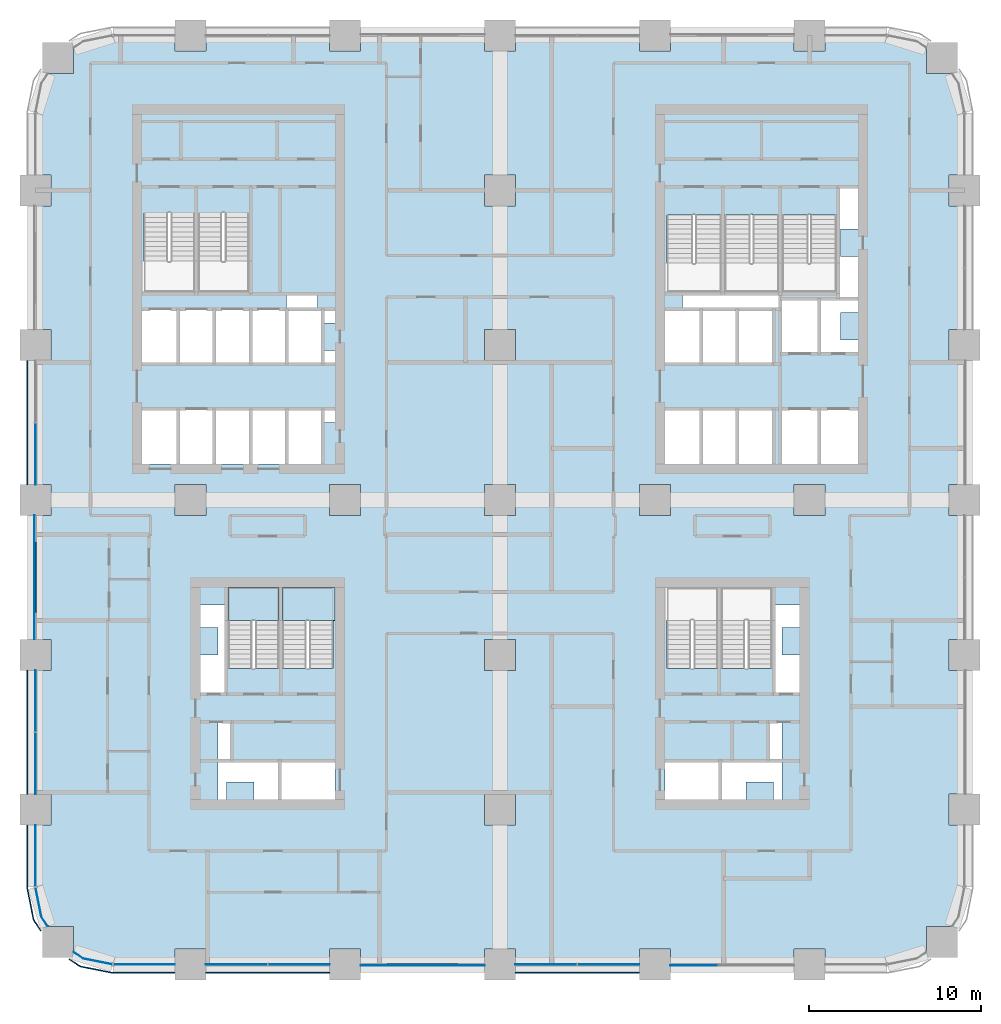
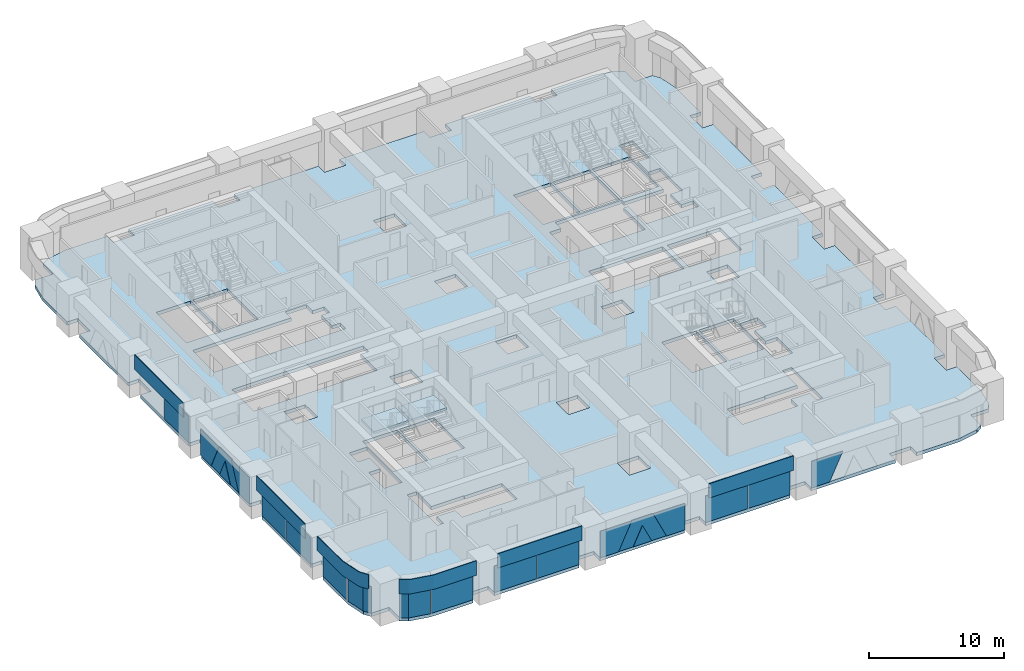
# One storey, part 9 of 21: 26 plates, 3 slabs, 11 elements without a shape of their own.
"""IFC4 building model written with IfcOpenShell, lengths in metres."""

from ifc_helpers import new_model, si_unit, direction, frame, origin, origin_2d, place, context, subcontext, project, spatial, polyline, rectangle, outline, extrude, material, layer, layer_set, type_object, element, aggregate, save


model = new_model("IFC4")

# Units and contexts
model_context = context("Model", 3, precision=1e-05, world=origin(), true_north=direction((0.0, 1.0)))
body_context = subcontext(model_context, "Body", "Model", "MODEL_VIEW")
ifc_project = project(units=[si_unit("LENGTHUNIT", "METRE"), si_unit("AREAUNIT", "SQUARE_METRE"), si_unit("VOLUMEUNIT", "CUBIC_METRE"), si_unit("PLANEANGLEUNIT", "RADIAN"), si_unit("MASSUNIT", "GRAM", prefix="KILO")], contexts=[model_context])

# Site, building, storey
site_placement = place(None, origin())
site = spatial("IfcSite", under=ifc_project, at=site_placement, CompositionType="ELEMENT")
building_placement = place(site_placement, origin())
building = spatial("IfcBuilding", under=site, at=building_placement, Name="Tessera Arch", CompositionType="ELEMENT")
storey_placement = place(building_placement, frame((0.0, 0.0, 50.0)))
storey = spatial("IfcBuildingStorey", under=building, at=storey_placement, Name="L10", CompositionType="ELEMENT", Elevation=50.0)

# Curtain wall, plates
ifc_material_1 = material(Name="CW1 curtain wall")
curtain_wall_type_1 = type_object("IfcCurtainWallType", Name="CW1 curtain wall", PredefinedType="NOTDEFINED", material=ifc_material_1)
curtain_wall_1_placement = place(storey_placement, origin())
curtain_wall_1 = element("IfcCurtainWall", 1, at=curtain_wall_1_placement, inside=storey, type_object=curtain_wall_type_1, Name="CW1 curtain wall S0.0/0 L10", PredefinedType="NOTDEFINED")
ifc_material_2 = material(Name="Clear low-e glass", Category="glass")
ifc_material_3 = material(Name="Clear low-e glass", Category="glass")
ifc_layer_1 = layer(ifc_material_3, 0.028076171875)
ifc_layer_set_1 = layer_set([ifc_layer_1], Name="CW1 glass panel")
plate_type_1 = type_object("IfcPlateType", Name="CW1 glass panel", PredefinedType="CURTAIN_PANEL", material=ifc_layer_set_1)
plate_1_placement = place(storey_placement, frame((11.68505859375, 0.0, 0.0), z_axis=(0.0, 0.0, 1.0), x_axis=(1.0, 0.0, 0.0)))
plate_1 = element("IfcPlate", 2, at=plate_1_placement, type_object=plate_type_1, material=ifc_material_2, Name="CW1 glass panel S0.0/0 1.1.1", PredefinedType="CURTAIN_PANEL", context=body_context, shape_type="SweptSolid", body=[
    extrude(rectangle(XDim=3.570068359375, YDim=0.028076171875, at=origin_2d()), origin(), (0.0, 0.0, 1.0), 2.39990234375),
])
plate_2_placement = place(storey_placement, frame((15.31494140625, 0.0, 0.0), z_axis=(0.0, 0.0, 1.0), x_axis=(1.0, 0.0, 0.0)))
plate_2 = element("IfcPlate", 3, at=plate_2_placement, type_object=plate_type_1, material=ifc_material_2, Name="CW1 glass panel S0.0/0 1.2.1", PredefinedType="CURTAIN_PANEL", context=body_context, shape_type="SweptSolid", body=[
    extrude(rectangle(XDim=3.570068359375, YDim=0.028076171875, at=origin_2d()), origin(), (0.0, 0.0, 1.0), 2.39990234375),
])

curtain_wall_2_placement = place(storey_placement, origin())
curtain_wall_2 = element("IfcCurtainWall", 4, at=curtain_wall_2_placement, inside=storey, type_object=curtain_wall_type_1, Name="CW1 curtain wall S0.0/2 L10", PredefinedType="NOTDEFINED")
plate_3_placement = place(storey_placement, frame((29.68505859375, 0.0, 0.0), z_axis=(0.0, 0.0, 1.0), x_axis=(1.0, 0.0, 0.0)))
plate_3 = element("IfcPlate", 5, at=plate_3_placement, type_object=plate_type_1, material=ifc_material_2, Name="CW1 glass panel S0.0/2 1.1.1", PredefinedType="CURTAIN_PANEL", context=body_context, shape_type="SweptSolid", body=[
    extrude(rectangle(XDim=3.570068359375, YDim=0.028076171875, at=origin_2d()), origin(), (0.0, 0.0, 1.0), 2.39990234375),
])
plate_4_placement = place(storey_placement, frame((33.31494140625, 0.0, 0.0), z_axis=(0.0, 0.0, 1.0), x_axis=(1.0, 0.0, 0.0)))
plate_4 = element("IfcPlate", 6, at=plate_4_placement, type_object=plate_type_1, material=ifc_material_2, Name="CW1 glass panel S0.0/2 1.2.1", PredefinedType="CURTAIN_PANEL", context=body_context, shape_type="SweptSolid", body=[
    extrude(rectangle(XDim=3.570068359375, YDim=0.028076171875, at=origin_2d()), origin(), (0.0, 0.0, 1.0), 2.39990234375),
])

# Curtain wall, plate
curtain_wall_3_placement = place(storey_placement, origin())
curtain_wall_3 = element("IfcCurtainWall", 7, at=curtain_wall_3_placement, inside=storey, type_object=curtain_wall_type_1, Name="CW1 curtain wall W0.0/2 L10", PredefinedType="NOTDEFINED")
plate_5_placement = place(storey_placement, frame((0.0, 29.68505859375, 0.0), z_axis=(0.0, 0.0, 1.0), x_axis=(0.0, -1.0, 0.0)))
plate_5 = element("IfcPlate", 8, at=plate_5_placement, type_object=plate_type_1, material=ifc_material_2, Name="CW1 glass panel W0.0/2 1.2.1", PredefinedType="CURTAIN_PANEL", context=body_context, shape_type="SweptSolid", body=[
    extrude(rectangle(XDim=3.570068359375, YDim=0.028076171875, at=origin_2d()), origin(), (0.0, 0.0, 1.0), 2.39990234375),
])

# Curtain wall, plates
curtain_wall_4_placement = place(storey_placement, origin())
curtain_wall_4 = element("IfcCurtainWall", 9, at=curtain_wall_4_placement, inside=storey, type_object=curtain_wall_type_1, Name="CW1 curtain wall W0.0/4 L10", PredefinedType="NOTDEFINED")
plate_6_placement = place(storey_placement, frame((0.0, 15.31494140625, 0.0), z_axis=(0.0, 0.0, 1.0), x_axis=(0.0, -1.0, 0.0)))
plate_6 = element("IfcPlate", 10, at=plate_6_placement, type_object=plate_type_1, material=ifc_material_2, Name="CW1 glass panel W0.0/4 1.1.1", PredefinedType="CURTAIN_PANEL", context=body_context, shape_type="SweptSolid", body=[
    extrude(rectangle(XDim=3.570068359375, YDim=0.028076171875, at=origin_2d()), origin(), (0.0, 0.0, 1.0), 2.39990234375),
])
plate_7_placement = place(storey_placement, frame((0.0, 11.68505859375, 0.0), z_axis=(0.0, 0.0, 1.0), x_axis=(0.0, -1.0, 0.0)))
plate_7 = element("IfcPlate", 11, at=plate_7_placement, type_object=plate_type_1, material=ifc_material_2, Name="CW1 glass panel W0.0/4 1.2.1", PredefinedType="CURTAIN_PANEL", context=body_context, shape_type="SweptSolid", body=[
    extrude(rectangle(XDim=3.570068359375, YDim=0.028076171875, at=origin_2d()), origin(), (0.0, 0.0, 1.0), 2.39990234375),
])

# Plate
ifc_material_4 = material(Name="Pale anodised aluminium panel", Category="aluminium")
ifc_layer_2 = layer(ifc_material_4, 0.06005859375)
ifc_layer_set_2 = layer_set([ifc_layer_2], Name="CW1 spandrel panel")
plate_type_2 = type_object("IfcPlateType", Name="CW1 spandrel panel", PredefinedType="CURTAIN_PANEL", material=ifc_layer_set_2)
plate_8_placement = place(storey_placement, frame((13.5, -0.47998046875, 2.5), z_axis=(0.0, 0.0, 1.0), x_axis=(1.0, 0.0, 0.0)))
plate_8 = element("IfcPlate", 12, at=plate_8_placement, type_object=plate_type_2, Name="CW1 spandrel panel S0.0/0", PredefinedType="CURTAIN_PANEL", context=body_context, shape_type="SweptSolid", body=[
    extrude(rectangle(XDim=7.199951171875, YDim=0.06005859375, at=origin_2d()), origin(), (0.0, 0.0, 1.0), 1.300048828125),
])

aggregate(curtain_wall_1, [plate_1, plate_2, plate_8])

plate_9_placement = place(storey_placement, frame((31.5, -0.47998046875, 2.5), z_axis=(0.0, 0.0, 1.0), x_axis=(1.0, 0.0, 0.0)))
plate_9 = element("IfcPlate", 13, at=plate_9_placement, type_object=plate_type_2, Name="CW1 spandrel panel S0.0/2", PredefinedType="CURTAIN_PANEL", context=body_context, shape_type="SweptSolid", body=[
    extrude(rectangle(XDim=7.199951171875, YDim=0.06005859375, at=origin_2d()), origin(), (0.0, 0.0, 1.0), 1.300048828125),
])

aggregate(curtain_wall_2, [plate_3, plate_4, plate_9])

plate_10_placement = place(storey_placement, frame((-0.47998046875, 31.5, 2.5), z_axis=(0.0, 0.0, 1.0), x_axis=(0.0, -1.0, 0.0)))
plate_10 = element("IfcPlate", 14, at=plate_10_placement, type_object=plate_type_2, Name="CW1 spandrel panel W0.0/2", PredefinedType="CURTAIN_PANEL", context=body_context, shape_type="SweptSolid", body=[
    extrude(rectangle(XDim=7.199951171875, YDim=0.06005859375, at=origin_2d()), origin(), (0.0, 0.0, 1.0), 1.300048828125),
])

aggregate(curtain_wall_3, [plate_5, plate_10])

plate_11_placement = place(storey_placement, frame((-0.47998046875, 13.5, 2.5), z_axis=(0.0, 0.0, 1.0), x_axis=(0.0, -1.0, 0.0)))
plate_11 = element("IfcPlate", 15, at=plate_11_placement, type_object=plate_type_2, Name="CW1 spandrel panel W0.0/4", PredefinedType="CURTAIN_PANEL", context=body_context, shape_type="SweptSolid", body=[
    extrude(rectangle(XDim=7.199951171875, YDim=0.06005859375, at=origin_2d()), origin(), (0.0, 0.0, 1.0), 1.300048828125),
])

aggregate(curtain_wall_4, [plate_6, plate_7, plate_11])

# Curtain wall, plates
ifc_material_5 = material(Name="CW2 curtain wall")
curtain_wall_type_2 = type_object("IfcCurtainWallType", Name="CW2 curtain wall", PredefinedType="NOTDEFINED", material=ifc_material_5)
curtain_wall_5_placement = place(storey_placement, origin())
curtain_wall_5 = element("IfcCurtainWall", 16, at=curtain_wall_5_placement, inside=storey, type_object=curtain_wall_type_2, Name="CW2 curtain wall W0.0/5 L10", PredefinedType="NOTDEFINED")
ifc_material_6 = material(Name="Clear low-e glass", Category="glass")
ifc_layer_3 = layer(ifc_material_6, 0.028076171875)
ifc_layer_set_3 = layer_set([ifc_layer_3], Name="CW2 glass panel")
plate_type_3 = type_object("IfcPlateType", Name="CW2 glass panel", PredefinedType="CURTAIN_PANEL", material=ifc_layer_set_3)
plate_12_placement = place(storey_placement, frame((0.0, 6.320068359375, 0.0), z_axis=(0.0, 0.0, 1.0), x_axis=(0.0, -1.0, 0.0)))
plate_12 = element("IfcPlate", 17, at=plate_12_placement, type_object=plate_type_3, material=ifc_material_2, Name="CW2 glass panel W0.0/5 1.1", PredefinedType="CURTAIN_PANEL", context=body_context, shape_type="SweptSolid", body=[
    extrude(rectangle(XDim=3.56005859375, YDim=0.028076171875, at=origin_2d()), origin(), (0.0, 0.0, 1.0), 2.39990234375),
])
plate_13_placement = place(storey_placement, origin())
plate_13 = element("IfcPlate", 18, at=plate_13_placement, type_object=plate_type_3, material=ifc_material_2, Name="CW2 curved glass panel W0.0/5 2.1", PredefinedType="CURTAIN_PANEL", context=body_context, shape_type="SweptSolid", body=[
    extrude(outline(polyline([(0.355712890625, 2.783447265625), (0.021484375, 4.46337890625), (-0.005859375, 4.4580078125), (0.329345703125, 2.7724609375), (0.705078125, 2.210205078125), (0.728271484375, 2.225830078125), (0.355712890625, 2.783447265625)])), origin(), (0.0, 0.0, 1.0), 2.39990234375),
])

curtain_wall_6_placement = place(storey_placement, origin())
curtain_wall_6 = element("IfcCurtainWall", 19, at=curtain_wall_6_placement, inside=storey, type_object=curtain_wall_type_2, Name="CW2 curtain wall S0.0/5 L10", PredefinedType="NOTDEFINED")
plate_14_placement = place(storey_placement, frame((6.320068359375, 0.0, 0.0), z_axis=(0.0, 0.0, 1.0), x_axis=(1.0, 0.0, 0.0)))
plate_14 = element("IfcPlate", 20, at=plate_14_placement, type_object=plate_type_3, material=ifc_material_2, Name="CW2 glass panel S0.0/5 1.1", PredefinedType="CURTAIN_PANEL", context=body_context, shape_type="SweptSolid", body=[
    extrude(rectangle(XDim=3.56005859375, YDim=0.028076171875, at=origin_2d()), origin(), (0.0, 0.0, 1.0), 2.39990234375),
])
plate_15_placement = place(storey_placement, origin())
plate_15 = element("IfcPlate", 21, at=plate_15_placement, type_object=plate_type_3, material=ifc_material_2, Name="CW2 curved glass panel S0.0/5 2.1", PredefinedType="CURTAIN_PANEL", context=body_context, shape_type="SweptSolid", body=[
    extrude(outline(polyline([(2.783447265625, 0.355712890625), (2.225830078125, 0.728271484375), (2.210205078125, 0.705078125), (2.7724609375, 0.329345703125), (4.4580078125, -0.005859375), (4.46337890625, 0.021484375), (2.783447265625, 0.355712890625)])), origin(), (0.0, 0.0, 1.0), 2.39990234375),
])

# Plate
ifc_material_7 = material(Name="Pale anodised aluminium panel", Category="aluminium")
ifc_layer_4 = layer(ifc_material_7, 0.06005859375)
ifc_layer_set_4 = layer_set([ifc_layer_4], Name="CW2 spandrel panel")
plate_type_4 = type_object("IfcPlateType", Name="CW2 spandrel panel", PredefinedType="CURTAIN_PANEL", material=ifc_layer_set_4)
plate_16_placement = place(storey_placement, frame((0.0, 0.0, 2.5)))
plate_16 = element("IfcPlate", 22, at=plate_16_placement, type_object=plate_type_4, Name="CW2 spandrel panel W0.0/5", PredefinedType="CURTAIN_PANEL", context=body_context, shape_type="SweptSolid", body=[
    extrude(outline(polyline([(-0.449951171875, 4.500732421875), (-0.449951171875, 8.10009765625), (-0.510009765625, 8.10009765625), (-0.510009765625, 4.499267578125), (-0.507568359375, 4.449951171875), (-0.500244140625, 4.401123046875), (-0.157470703125, 2.677734375), (-0.1455078125, 2.6298828125), (-0.128662109375, 2.582763671875), (-0.107177734375, 2.537353515625), (-0.08203125, 2.4951171875), (0.292724609375, 1.9345703125), (0.342529296875, 1.968017578125), (-0.03125, 2.52734375), (-0.05419921875, 2.565673828125), (-0.0732421875, 2.605712890625), (-0.088134765625, 2.647216796875), (-0.09912109375, 2.69091796875), (-0.441162109375, 4.411376953125), (-0.44775390625, 4.455810546875), (-0.449951171875, 4.500732421875)])), origin(), (0.0, 0.0, 1.0), 1.300048828125),
])

aggregate(curtain_wall_5, [plate_12, plate_13, plate_16])

plate_17_placement = place(storey_placement, frame((0.0, 0.0, 2.5)))
plate_17 = element("IfcPlate", 23, at=plate_17_placement, type_object=plate_type_4, Name="CW2 spandrel panel S0.0/5", PredefinedType="CURTAIN_PANEL", context=body_context, shape_type="SweptSolid", body=[
    extrude(outline(polyline([(2.52734375, -0.03125), (1.968017578125, 0.342529296875), (1.9345703125, 0.292724609375), (2.4951171875, -0.08203125), (2.537353515625, -0.107177734375), (2.582763671875, -0.128662109375), (2.6298828125, -0.1455078125), (2.677734375, -0.157470703125), (4.401123046875, -0.500244140625), (4.449951171875, -0.507568359375), (4.499267578125, -0.510009765625), (8.10009765625, -0.510009765625), (8.10009765625, -0.449951171875), (4.500732421875, -0.449951171875), (4.455810546875, -0.44775390625), (4.411376953125, -0.441162109375), (2.69091796875, -0.09912109375), (2.647216796875, -0.088134765625), (2.605712890625, -0.0732421875), (2.565673828125, -0.05419921875), (2.52734375, -0.03125)])), origin(), (0.0, 0.0, 1.0), 1.300048828125),
])

aggregate(curtain_wall_6, [plate_14, plate_15, plate_17])

# Curtain wall, plate
ifc_material_8 = material(Name="CW3 curtain wall")
curtain_wall_type_3 = type_object("IfcCurtainWallType", Name="CW3 curtain wall", PredefinedType="NOTDEFINED", material=ifc_material_8)
curtain_wall_7_placement = place(storey_placement, origin())
curtain_wall_7 = element("IfcCurtainWall", 24, at=curtain_wall_7_placement, inside=storey, type_object=curtain_wall_type_3, Name="CW3 curtain wall S0.0/1 L10", PredefinedType="NOTDEFINED")
ifc_material_9 = material(Name="Pale anodised aluminium panel", Category="aluminium")
ifc_layer_5 = layer(ifc_material_9, 0.06005859375)
ifc_layer_set_5 = layer_set([ifc_layer_5], Name="CW3 diagonal panel")
plate_type_5 = type_object("IfcPlateType", Name="CW3 diagonal panel", PredefinedType="CURTAIN_PANEL", material=ifc_layer_set_5)
plate_18_placement = place(storey_placement, frame((23.41259765625, -0.030029296875, 2.39990234375), z_axis=(0.0, -1.0, 0.0), x_axis=(-1.0, 0.0, 0.0)))
plate_18 = element("IfcPlate", 25, at=plate_18_placement, type_object=plate_type_5, Name="CW3 diagonal panel S0.0/1 1", PredefinedType="CURTAIN_PANEL", context=body_context, shape_type="SweptSolid", body=[
    extrude(outline(polyline([(0.0, 0.0), (1.8251953125, 0.0), (2.962158203125, 2.39990234375), (1.705078125, 2.39990234375), (0.91259765625, 0.726806640625), (0.1201171875, 2.39990234375), (-1.136962890625, 2.39990234375), (0.0, 0.0)])), origin(), (0.0, 0.0, -1.0), 0.06005859375),
])

curtain_wall_8_placement = place(storey_placement, origin())
curtain_wall_8 = element("IfcCurtainWall", 26, at=curtain_wall_8_placement, inside=storey, type_object=curtain_wall_type_3, Name="CW3 curtain wall W0.0/3 L10", PredefinedType="NOTDEFINED")
plate_19_placement = place(storey_placement, frame((-0.030029296875, 21.58740234375, 2.39990234375), z_axis=(-1.0, 0.0, 0.0), x_axis=(0.0, 1.0, 0.0)))
plate_19 = element("IfcPlate", 27, at=plate_19_placement, type_object=plate_type_5, Name="CW3 diagonal panel W0.0/3 1", PredefinedType="CURTAIN_PANEL", context=body_context, shape_type="SweptSolid", body=[
    extrude(outline(polyline([(0.0, 0.0), (1.8251953125, 0.0), (2.962158203125, 2.39990234375), (1.705078125, 2.39990234375), (0.91259765625, 0.726806640625), (0.1201171875, 2.39990234375), (-1.136962890625, 2.39990234375), (0.0, 0.0)])), origin(), (0.0, 0.0, -1.0), 0.06005859375),
])

# Plate
ifc_material_10 = material(Name="Clear low-e glass", Category="glass")
ifc_layer_6 = layer(ifc_material_10, 0.028076171875)
ifc_layer_set_6 = layer_set([ifc_layer_6], Name="CW3 glass panel")
plate_type_6 = type_object("IfcPlateType", Name="CW3 glass panel", PredefinedType="CURTAIN_PANEL", material=ifc_layer_set_6)
plate_20_placement = place(storey_placement, frame((18.89990234375, -0.05810546875, 0.0), z_axis=(0.0, -1.0, 0.0), x_axis=(1.0, 0.0, 0.0)))
plate_20 = element("IfcPlate", 28, at=plate_20_placement, type_object=plate_type_6, material=ifc_material_2, Name="CW3 triangulated glass panel S0.0/1 1", PredefinedType="CURTAIN_PANEL", context=body_context, shape_type="SweptSolid", body=[
    extrude(outline(polyline([(0.0, 0.0), (1.550537109375, 0.0), (2.6875, 2.39990234375), (0.0, 2.39990234375), (0.0, 0.0)])), origin(), (0.0, 0.0, -1.0), 0.028076171875),
])

plate_21_placement = place(storey_placement, frame((21.70751953125, -0.05810546875, 0.0), z_axis=(0.0, -1.0, 0.0), x_axis=(1.0, 0.0, 0.0)))
plate_21 = element("IfcPlate", 29, at=plate_21_placement, type_object=plate_type_6, material=ifc_material_2, Name="CW3 triangulated glass panel S0.0/1 2", PredefinedType="CURTAIN_PANEL", context=body_context, shape_type="SweptSolid", body=[
    extrude(outline(polyline([(0.0, 0.0), (1.5849609375, 0.0), (0.79248046875, 1.673095703125), (0.0, 0.0)])), origin(), (0.0, 0.0, -1.0), 0.028076171875),
])

plate_22_placement = place(storey_placement, frame((26.10009765625, -0.05810546875, 2.39990234375), z_axis=(0.0, -1.0, 0.0), x_axis=(-1.0, 0.0, 0.0)))
plate_22 = element("IfcPlate", 30, at=plate_22_placement, type_object=plate_type_6, material=ifc_material_2, Name="CW3 triangulated glass panel S0.0/1 3", PredefinedType="CURTAIN_PANEL", context=body_context, shape_type="SweptSolid", body=[
    extrude(outline(polyline([(0.0, 0.0), (2.6875, 0.0), (1.550537109375, 2.39990234375), (0.0, 2.39990234375), (0.0, 0.0)])), origin(), (0.0, 0.0, -1.0), 0.028076171875),
])

aggregate(curtain_wall_7, [plate_20, plate_21, plate_22, plate_18])

# Curtain wall, plate
curtain_wall_9_placement = place(storey_placement, origin())
curtain_wall_9 = element("IfcCurtainWall", 31, at=curtain_wall_9_placement, inside=storey, type_object=curtain_wall_type_3, Name="CW3 curtain wall S0.0/3 L10", PredefinedType="NOTDEFINED")
plate_23_placement = place(storey_placement, frame((36.89990234375, -0.05810546875, 0.0), z_axis=(0.0, -1.0, 0.0), x_axis=(1.0, 0.0, 0.0)))
plate_23 = element("IfcPlate", 32, at=plate_23_placement, type_object=plate_type_6, material=ifc_material_2, Name="CW3 triangulated glass panel S0.0/3 1", PredefinedType="CURTAIN_PANEL", context=body_context, shape_type="SweptSolid", body=[
    extrude(outline(polyline([(0.0, 0.0), (1.550537109375, 0.0), (2.6875, 2.39990234375), (0.0, 2.39990234375), (0.0, 0.0)])), origin(), (0.0, 0.0, -1.0), 0.028076171875),
])
aggregate(curtain_wall_9, [plate_23])

# Plate
plate_24_placement = place(storey_placement, frame((-0.05810546875, 26.10009765625, 0.0), z_axis=(-1.0, 0.0, 0.0), x_axis=(0.0, -1.0, 0.0)))
plate_24 = element("IfcPlate", 33, at=plate_24_placement, type_object=plate_type_6, material=ifc_material_2, Name="CW3 triangulated glass panel W0.0/3 1", PredefinedType="CURTAIN_PANEL", context=body_context, shape_type="SweptSolid", body=[
    extrude(outline(polyline([(0.0, 0.0), (1.550537109375, 0.0), (2.6875, 2.39990234375), (0.0, 2.39990234375), (0.0, 0.0)])), origin(), (0.0, 0.0, -1.0), 0.028076171875),
])

plate_25_placement = place(storey_placement, frame((-0.05810546875, 23.29248046875, 0.0), z_axis=(-1.0, 0.0, 0.0), x_axis=(0.0, -1.0, 0.0)))
plate_25 = element("IfcPlate", 34, at=plate_25_placement, type_object=plate_type_6, material=ifc_material_2, Name="CW3 triangulated glass panel W0.0/3 2", PredefinedType="CURTAIN_PANEL", context=body_context, shape_type="SweptSolid", body=[
    extrude(outline(polyline([(0.0, 0.0), (1.5849609375, 0.0), (0.79248046875, 1.673095703125), (0.0, 0.0)])), origin(), (0.0, 0.0, -1.0), 0.028076171875),
])

plate_26_placement = place(storey_placement, frame((-0.05810546875, 18.89990234375, 2.39990234375), z_axis=(-1.0, 0.0, 0.0), x_axis=(0.0, 1.0, 0.0)))
plate_26 = element("IfcPlate", 35, at=plate_26_placement, type_object=plate_type_6, material=ifc_material_2, Name="CW3 triangulated glass panel W0.0/3 3", PredefinedType="CURTAIN_PANEL", context=body_context, shape_type="SweptSolid", body=[
    extrude(outline(polyline([(0.0, 0.0), (2.6875, 0.0), (1.550537109375, 2.39990234375), (0.0, 2.39990234375), (0.0, 0.0)])), origin(), (0.0, 0.0, -1.0), 0.028076171875),
])

aggregate(curtain_wall_8, [plate_24, plate_25, plate_26, plate_19])

# Slab
ifc_material_11 = material(Name="Concrete C40/50", Category="concrete")
ifc_layer_7 = layer(ifc_material_11, 0.300048828125)
ifc_layer_set_7 = layer_set([ifc_layer_7], Name="Floor slab 300 Concrete C40/50")
slab_type_1 = type_object("IfcSlabType", Name="Floor slab 300 Concrete C40/50", PredefinedType="FLOOR", material=ifc_layer_set_7)
slab_1_placement = place(storey_placement, frame((0.0, 0.0, -0.300048828125)))
element("IfcSlab", 36, at=slab_1_placement, inside=storey, type_object=slab_type_1, Name="Floor slab L10 1", PredefinedType="FLOOR", context=body_context, shape_type="SweptSolid", body=[
    extrude(outline(polyline([(4.5, 0.0), (2.77783203125, 0.342529296875), (2.218017578125, 0.716552734375), (2.218017578125, 2.218017578125), (0.716552734375, 2.218017578125), (0.342529296875, 2.77783203125), (0.0, 4.5), (0.0, 8.10009765625), (0.89990234375, 8.10009765625), (0.89990234375, 9.89990234375), (0.0, 9.89990234375), (0.0, 17.10009765625), (0.89990234375, 17.10009765625), (0.89990234375, 18.89990234375), (0.0, 18.89990234375), (0.0, 26.10009765625), (0.89990234375, 26.10009765625), (0.89990234375, 27.89990234375), (0.0, 27.89990234375), (0.0, 35.10009765625), (0.89990234375, 35.10009765625), (0.89990234375, 36.89990234375), (0.0, 36.89990234375), (0.0, 44.10009765625), (0.89990234375, 44.10009765625), (0.89990234375, 45.89990234375), (0.0, 45.89990234375), (0.0, 49.5), (0.342529296875, 51.22216796875), (0.716552734375, 51.781982421875), (2.218017578125, 51.781982421875), (2.218017578125, 53.283447265625), (2.77783203125, 53.657470703125), (4.5, 54.0), (8.10009765625, 54.0), (8.10009765625, 53.10009765625), (9.89990234375, 53.10009765625), (9.89990234375, 54.0), (17.10009765625, 54.0), (17.10009765625, 53.10009765625), (18.89990234375, 53.10009765625), (18.89990234375, 54.0), (26.10009765625, 54.0), (26.10009765625, 53.10009765625), (27.89990234375, 53.10009765625), (27.89990234375, 54.0), (35.10009765625, 54.0), (35.10009765625, 53.10009765625), (36.89990234375, 53.10009765625), (36.89990234375, 54.0), (44.10009765625, 54.0), (44.10009765625, 53.10009765625), (45.89990234375, 53.10009765625), (45.89990234375, 54.0), (49.5, 54.0), (51.22216796875, 53.657470703125), (51.781982421875, 53.283447265625), (51.781982421875, 51.781982421875), (53.283447265625, 51.781982421875), (53.657470703125, 51.22216796875), (54.0, 49.5), (54.0, 45.89990234375), (53.10009765625, 45.89990234375), (53.10009765625, 44.10009765625), (54.0, 44.10009765625), (54.0, 36.89990234375), (53.10009765625, 36.89990234375), (53.10009765625, 35.10009765625), (54.0, 35.10009765625), (54.0, 27.89990234375), (53.10009765625, 27.89990234375), (53.10009765625, 26.10009765625), (54.0, 26.10009765625), (54.0, 18.89990234375), (53.10009765625, 18.89990234375), (53.10009765625, 17.10009765625), (54.0, 17.10009765625), (54.0, 9.89990234375), (53.10009765625, 9.89990234375), (53.10009765625, 8.10009765625), (54.0, 8.10009765625), (54.0, 4.5), (53.657470703125, 2.77783203125), (53.283447265625, 2.218017578125), (51.781982421875, 2.218017578125), (51.781982421875, 0.716552734375), (51.22216796875, 0.342529296875), (49.5, 0.0), (45.89990234375, 0.0), (45.89990234375, 0.89990234375), (44.10009765625, 0.89990234375), (44.10009765625, 0.0), (36.89990234375, 0.0), (36.89990234375, 0.89990234375), (35.10009765625, 0.89990234375), (35.10009765625, 0.0), (27.89990234375, 0.0), (27.89990234375, 0.89990234375), (26.10009765625, 0.89990234375), (26.10009765625, 0.0), (18.89990234375, 0.0), (18.89990234375, 0.89990234375), (17.10009765625, 0.89990234375), (17.10009765625, 0.0), (9.89990234375, 0.0), (9.89990234375, 0.89990234375), (8.10009765625, 0.89990234375), (8.10009765625, 0.0), (4.5, 0.0)]), holes=[polyline([(11.10009765625, 9.60009765625), (11.10009765625, 10.60009765625), (12.699951171875, 10.60009765625), (12.699951171875, 9.60009765625), (14.199951171875, 9.60009765625), (17.39990234375, 9.60009765625), (17.39990234375, 11.85009765625), (14.199951171875, 11.85009765625), (14.199951171875, 11.89990234375), (11.39990234375, 11.89990234375), (11.39990234375, 14.10009765625), (10.60009765625, 14.10009765625), (10.60009765625, 11.89990234375), (10.60009765625, 9.60009765625), (11.10009765625, 9.60009765625)]), polyline([(9.60009765625, 19.60009765625), (10.60009765625, 19.60009765625), (10.60009765625, 18.0), (9.60009765625, 18.0), (9.60009765625, 15.699951171875), (11.10009765625, 15.699951171875), (11.10009765625, 20.89990234375), (9.60009765625, 20.89990234375), (9.60009765625, 19.60009765625)]), polyline([(12.60009765625, 17.2099609375), (12.60009765625, 17.199951171875), (12.75, 17.199951171875), (12.75, 17.2099609375), (14.14990234375, 17.2099609375), (14.14990234375, 21.699951171875), (11.199951171875, 21.699951171875), (11.199951171875, 17.2099609375), (12.60009765625, 17.2099609375)]), polyline([(8.10009765625, 26.10009765625), (9.89990234375, 26.10009765625), (9.89990234375, 27.89990234375), (8.10009765625, 27.89990234375), (8.10009765625, 26.10009765625)]), polyline([(12.5, 29.10009765625), (14.60009765625, 29.10009765625), (16.699951171875, 29.10009765625), (16.699951171875, 31.5), (17.39990234375, 31.5), (17.39990234375, 32.300048828125), (16.699951171875, 32.300048828125), (14.60009765625, 32.300048828125), (12.5, 32.300048828125), (10.39990234375, 32.300048828125), (8.300048828125, 32.300048828125), (6.199951171875, 32.300048828125), (6.199951171875, 29.10009765625), (8.300048828125, 29.10009765625), (10.39990234375, 29.10009765625), (12.5, 29.10009765625)]), polyline([(10.39990234375, 38.10009765625), (8.300048828125, 38.10009765625), (6.199951171875, 38.10009765625), (6.199951171875, 34.89990234375), (8.300048828125, 34.89990234375), (10.39990234375, 34.89990234375), (12.5, 34.89990234375), (14.60009765625, 34.89990234375), (16.699951171875, 34.89990234375), (17.39990234375, 34.89990234375), (17.39990234375, 35.699951171875), (16.699951171875, 35.699951171875), (16.699951171875, 37.300048828125), (17.39990234375, 37.300048828125), (17.39990234375, 38.10009765625), (16.699951171875, 38.10009765625), (16.39990234375, 38.10009765625), (16.39990234375, 39.0), (14.60009765625, 39.0), (14.60009765625, 38.10009765625), (12.5, 38.10009765625), (10.39990234375, 38.10009765625)]), polyline([(11.0, 43.699951171875), (10.85009765625, 43.699951171875), (10.85009765625, 43.68994140625), (9.449951171875, 43.68994140625), (9.449951171875, 39.199951171875), (12.39990234375, 39.199951171875), (12.39990234375, 43.68994140625), (11.0, 43.68994140625), (11.0, 43.699951171875)]), polyline([(7.85009765625, 43.699951171875), (7.699951171875, 43.699951171875), (7.699951171875, 43.68994140625), (6.300048828125, 43.68994140625), (6.300048828125, 39.199951171875), (9.25, 39.199951171875), (9.25, 43.68994140625), (7.85009765625, 43.68994140625), (7.85009765625, 43.699951171875)]), polyline([(26.10009765625, 8.10009765625), (27.89990234375, 8.10009765625), (27.89990234375, 9.89990234375), (26.10009765625, 9.89990234375), (26.10009765625, 8.10009765625)]), polyline([(39.800048828125, 9.60009765625), (41.300048828125, 9.60009765625), (41.300048828125, 10.60009765625), (42.89990234375, 10.60009765625), (42.89990234375, 9.60009765625), (43.39990234375, 9.60009765625), (43.39990234375, 11.89990234375), (43.39990234375, 14.10009765625), (42.60009765625, 14.10009765625), (42.60009765625, 11.89990234375), (39.800048828125, 11.89990234375), (39.800048828125, 11.85009765625), (36.60009765625, 11.85009765625), (36.60009765625, 9.60009765625), (39.800048828125, 9.60009765625)]), polyline([(26.10009765625, 18.89990234375), (26.10009765625, 17.10009765625), (27.89990234375, 17.10009765625), (27.89990234375, 18.89990234375), (26.10009765625, 18.89990234375)]), polyline([(15.75, 17.199951171875), (15.89990234375, 17.199951171875), (15.89990234375, 17.2099609375), (17.300048828125, 17.2099609375), (17.300048828125, 21.699951171875), (14.35009765625, 21.699951171875), (14.35009765625, 17.2099609375), (15.75, 17.2099609375), (15.75, 17.199951171875)]), polyline([(38.10009765625, 17.199951171875), (38.25, 17.199951171875), (38.25, 17.2099609375), (39.64990234375, 17.2099609375), (39.64990234375, 21.699951171875), (36.699951171875, 21.699951171875), (36.699951171875, 17.2099609375), (38.10009765625, 17.2099609375), (38.10009765625, 17.199951171875)]), polyline([(17.10009765625, 26.10009765625), (18.89990234375, 26.10009765625), (18.89990234375, 27.89990234375), (17.10009765625, 27.89990234375), (17.10009765625, 26.10009765625)]), polyline([(26.10009765625, 27.89990234375), (26.10009765625, 26.10009765625), (27.89990234375, 26.10009765625), (27.89990234375, 27.89990234375), (26.10009765625, 27.89990234375)]), polyline([(35.10009765625, 27.89990234375), (35.10009765625, 26.10009765625), (36.89990234375, 26.10009765625), (36.89990234375, 27.89990234375), (35.10009765625, 27.89990234375)]), polyline([(36.60009765625, 32.300048828125), (36.60009765625, 29.10009765625), (38.699951171875, 29.10009765625), (40.800048828125, 29.10009765625), (42.89990234375, 29.10009765625), (42.89990234375, 32.300048828125), (40.800048828125, 32.300048828125), (38.699951171875, 32.300048828125), (36.60009765625, 32.300048828125)]), polyline([(26.10009765625, 35.10009765625), (27.89990234375, 35.10009765625), (27.89990234375, 36.89990234375), (26.10009765625, 36.89990234375), (26.10009765625, 35.10009765625)]), polyline([(38.699951171875, 34.89990234375), (40.800048828125, 34.89990234375), (42.89990234375, 34.89990234375), (42.89990234375, 38.10009765625), (43.300048828125, 38.10009765625), (43.300048828125, 35.5), (45.550048828125, 35.5), (47.800048828125, 35.5), (47.800048828125, 36.300048828125), (46.800048828125, 36.300048828125), (46.800048828125, 37.89990234375), (47.800048828125, 37.89990234375), (47.800048828125, 38.699951171875), (47.800048828125, 41.14990234375), (46.800048828125, 41.14990234375), (46.800048828125, 42.75), (47.800048828125, 42.75), (47.800048828125, 45.199951171875), (46.64990234375, 45.199951171875), (46.64990234375, 38.699951171875), (45.550048828125, 38.699951171875), (43.300048828125, 38.699951171875), (43.300048828125, 39.0), (37.60009765625, 39.0), (37.60009765625, 38.10009765625), (36.60009765625, 38.10009765625), (36.60009765625, 34.89990234375), (38.699951171875, 34.89990234375)]), polyline([(38.330078125, 43.580078125), (38.219970703125, 43.580078125), (38.219970703125, 43.570068359375), (36.699951171875, 43.570068359375), (36.699951171875, 39.199951171875), (39.85009765625, 39.199951171875), (39.85009765625, 43.570068359375), (38.330078125, 43.570068359375), (38.330078125, 43.580078125)]), polyline([(26.10009765625, 44.10009765625), (27.89990234375, 44.10009765625), (27.89990234375, 45.89990234375), (26.10009765625, 45.89990234375), (26.10009765625, 44.10009765625)]), polyline([(42.89990234375, 15.699951171875), (44.39990234375, 15.699951171875), (44.39990234375, 18.0), (43.39990234375, 18.0), (43.39990234375, 19.60009765625), (44.39990234375, 19.60009765625), (44.39990234375, 20.89990234375), (42.89990234375, 20.89990234375), (42.89990234375, 15.699951171875)]), polyline([(41.25, 17.199951171875), (41.39990234375, 17.199951171875), (41.39990234375, 17.2099609375), (42.800048828125, 17.2099609375), (42.800048828125, 21.699951171875), (39.85009765625, 21.699951171875), (39.85009765625, 17.2099609375), (41.25, 17.2099609375), (41.25, 17.199951171875)]), polyline([(44.10009765625, 26.10009765625), (45.89990234375, 26.10009765625), (45.89990234375, 27.89990234375), (44.10009765625, 27.89990234375), (44.10009765625, 26.10009765625)]), polyline([(45.550048828125, 29.10009765625), (47.800048828125, 29.10009765625), (47.800048828125, 32.300048828125), (45.550048828125, 32.300048828125), (43.300048828125, 32.300048828125), (43.300048828125, 29.10009765625), (45.550048828125, 29.10009765625)]), polyline([(45.030029296875, 43.570068359375), (45.030029296875, 43.580078125), (44.919921875, 43.580078125), (44.919921875, 43.570068359375), (43.39990234375, 43.570068359375), (43.39990234375, 39.199951171875), (46.550048828125, 39.199951171875), (46.550048828125, 43.570068359375), (45.030029296875, 43.570068359375)]), polyline([(41.679931640625, 43.580078125), (41.570068359375, 43.580078125), (41.570068359375, 43.570068359375), (40.050048828125, 43.570068359375), (40.050048828125, 39.199951171875), (43.199951171875, 39.199951171875), (43.199951171875, 43.570068359375), (41.679931640625, 43.570068359375), (41.679931640625, 43.580078125)])]), origin(), (0.0, 0.0, 1.0), 0.300048828125),
])

# Stair, slab
ifc_material_12 = material(Name="Concrete C40/50", Category="concrete")
stair_type = type_object("IfcStairType", Name="Dogleg stair 1400", PredefinedType="HALF_TURN_STAIR", material=ifc_material_12)
stair_1_placement = place(storey_placement, origin())
stair_1 = element("IfcStair", 37, at=stair_1_placement, inside=storey, type_object=stair_type, Name="L10 S4a", PredefinedType="HALF_TURN_STAIR")
ifc_material_13 = material(Name="Concrete C40/50", Category="concrete")
ifc_layer_8 = layer(ifc_material_13, 0.300048828125)
ifc_layer_set_8 = layer_set([ifc_layer_8], Name="Stair landing 300")
slab_type_2 = type_object("IfcSlabType", Name="Stair landing 300", PredefinedType="LANDING", material=ifc_layer_set_8)
slab_2_placement = place(storey_placement, frame((0.0, 0.0, 1.699951171875)))
slab_2 = element("IfcSlab", 38, at=slab_2_placement, type_object=slab_type_2, Name="S4a landing 1", PredefinedType="LANDING", context=body_context, shape_type="SweptSolid", body=[
    extrude(outline(polyline([(17.39990234375, 20.0), (17.39990234375, 21.89990234375), (14.35009765625, 21.89990234375), (14.35009765625, 20.0), (17.39990234375, 20.0)])), origin(), (0.0, 0.0, 1.0), 0.199951171875),
])
aggregate(stair_1, [slab_2])

stair_2_placement = place(storey_placement, origin())
stair_2 = element("IfcStair", 39, at=stair_2_placement, inside=storey, type_object=stair_type, Name="L10 S4b", PredefinedType="HALF_TURN_STAIR")
slab_3_placement = place(storey_placement, frame((0.0, 0.0, 1.699951171875)))
slab_3 = element("IfcSlab", 40, at=slab_3_placement, type_object=slab_type_2, Name="S4b landing 1", PredefinedType="LANDING", context=body_context, shape_type="SweptSolid", body=[
    extrude(outline(polyline([(14.14990234375, 20.0), (14.14990234375, 21.89990234375), (11.199951171875, 21.89990234375), (11.199951171875, 20.0), (14.14990234375, 20.0)])), origin(), (0.0, 0.0, 1.0), 0.199951171875),
])
aggregate(stair_2, [slab_3])

save(model, "model.ifc")
